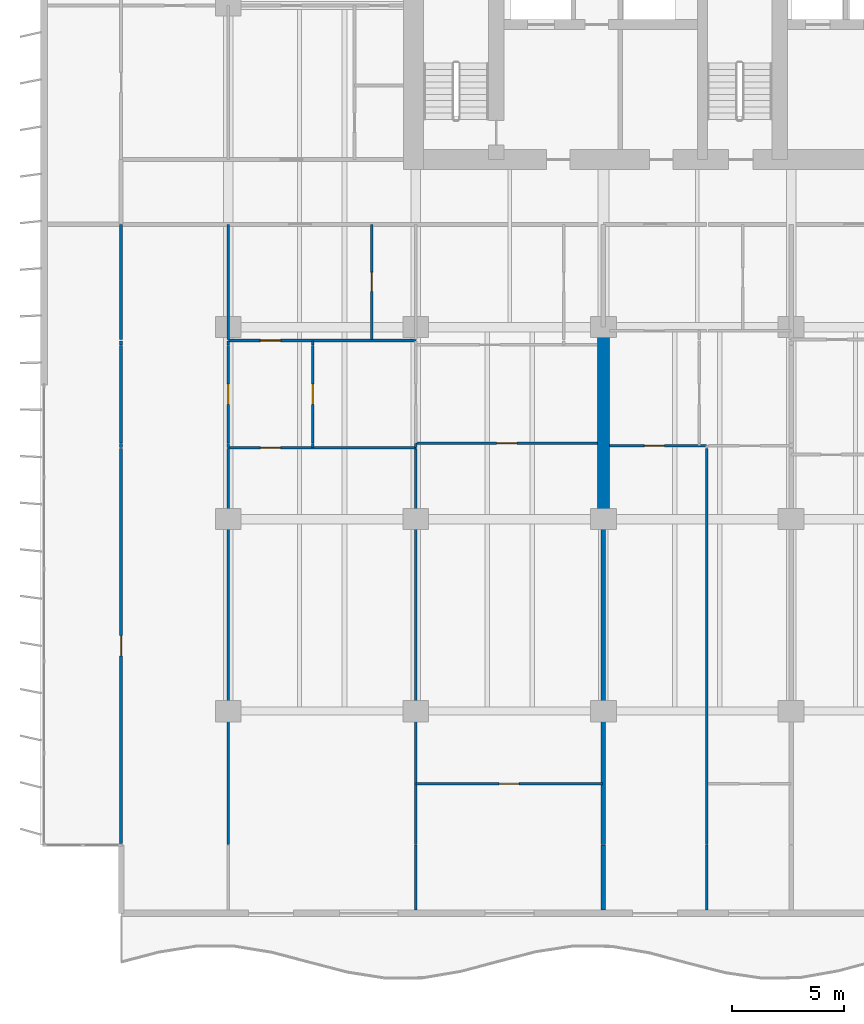
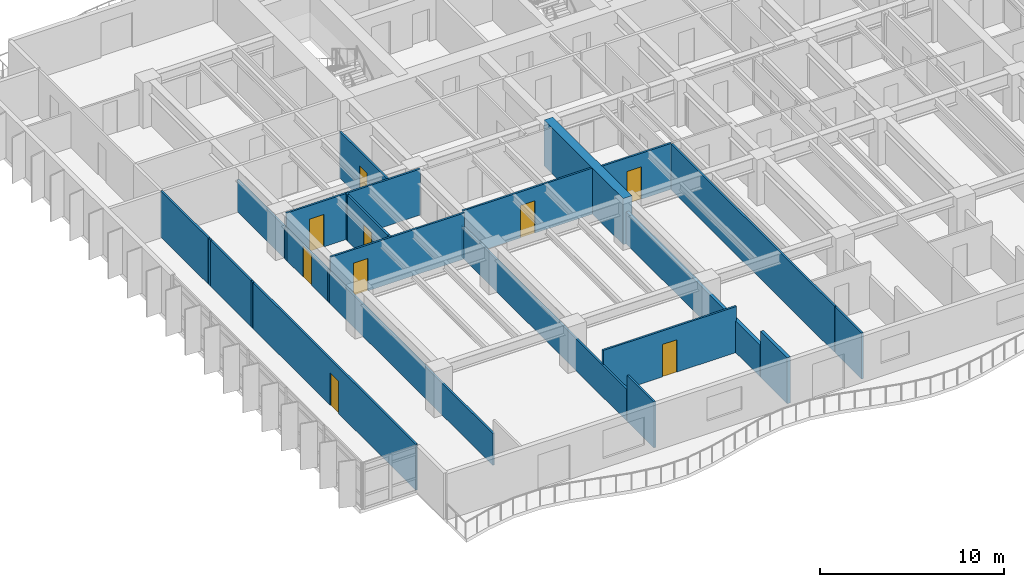
# One storey, part 6 of 18: 27 walls, 9 doors, 9 openings.
"""IFC4 building model written with IfcOpenShell, lengths in metres."""

from ifc_helpers import new_model, si_unit, direction, frame, frame_2d, origin, place, context, subcontext, project, spatial, rectangle, extrude, material, layer, layer_set, type_object, element, fill, save


model = new_model("IFC4")

# Units and contexts
model_context = context("Model", 3, precision=1e-05, world=origin(), true_north=direction((0.0, 1.0)))
body_context = subcontext(model_context, "Body", "Model", "MODEL_VIEW")
ifc_project = project(units=[si_unit("LENGTHUNIT", "METRE"), si_unit("AREAUNIT", "SQUARE_METRE"), si_unit("VOLUMEUNIT", "CUBIC_METRE"), si_unit("PLANEANGLEUNIT", "RADIAN"), si_unit("MASSUNIT", "GRAM", prefix="KILO")], contexts=[model_context])

# Site, building, storey
site_placement = place(None, origin())
site = spatial("IfcSite", under=ifc_project, at=site_placement, CompositionType="ELEMENT")
building_placement = place(site_placement, origin())
building = spatial("IfcBuilding", under=site, at=building_placement, Name="Caelmar Bay Residences", CompositionType="ELEMENT")
storey_placement = place(building_placement, frame((0.0, 0.0, 46.5)))
storey = spatial("IfcBuildingStorey", under=building, at=storey_placement, Name="L11", CompositionType="ELEMENT", Elevation=46.5)

# Wall
ifc_material_1 = material(Name="Concrete f'c 70 MPa (10,000 psi)", Category="concrete")
ifc_layer_1 = layer(ifc_material_1, 0.550048828125)
ifc_layer_set_1 = layer_set([ifc_layer_1], Name="Concrete f'c 70 MPa (10,000 psi)")
wall_type_1 = type_object("IfcWallType", Name="SW-XSLB-550", PredefinedType="SHEAR", material=ifc_layer_set_1)
wall_1_placement = place(storey_placement, frame((26.699951171875, 20.800048828125, 0.0), z_axis=(0.0, 0.0, 1.0), x_axis=(0.0, 1.0, 0.0)))
element("IfcWall", 1, at=wall_1_placement, inside=storey, type_object=wall_type_1, Name="L11 Transverse Cross-Slab Shear Wall W5", PredefinedType="SHEAR", context=body_context, shape_type="SweptSolid", body=[
    extrude(rectangle(XDim=8.599853515625, YDim=0.550048828125, at=frame_2d((4.2998046875, 0.0))), origin(), (0.0, 0.0, 1.0), 3.050048828125),
])

# Wall, opening, door
ifc_material_2 = material(Name="Acoustic metal-stud gypsum partition 120 mm")
ifc_layer_2 = layer(ifc_material_2, 0.1201171875)
ifc_layer_set_2 = layer_set([ifc_layer_2], Name="Acoustic metal-stud gypsum partition 120 mm")
wall_type_2 = type_object("IfcWallType", Name="W-PRT-120", PredefinedType="PARTITIONING", material=ifc_layer_set_2)
wall_2_placement = place(storey_placement, frame((5.10009765625, 6.284912109375, 0.0), z_axis=(0.0, 0.0, 1.0), x_axis=(0.0, 1.0, 0.0)))
wall_2 = element("IfcWall", 2, at=wall_2_placement, inside=storey, type_object=wall_type_2, Name="L11 Partition Wall V001", PredefinedType="PARTITIONING", context=body_context, shape_type="SweptSolid", body=[
    extrude(rectangle(XDim=17.68505859375, YDim=0.1201171875, at=frame_2d((8.842529296875, 0.0))), origin(), (0.0, 0.0, 1.0), 3.050048828125),
])
opening_1_placement = place(wall_2_placement, frame((8.392578125, 0.0, 0.0)))
opening_1 = element("IfcOpeningElement", 3, at=opening_1_placement, cuts=wall_2, Name="Opening D-L11-166", PredefinedType="OPENING", context=body_context, shape_type="SweptSolid", body=[
    extrude(rectangle(XDim=0.89990234375, YDim=2.14990234375, at=frame_2d((0.449951171875, 1.074951171875))), frame((0.0, 0.070068359375, 0.0), z_axis=(0.0, -1.0, 0.0), x_axis=(1.0, 0.0, 0.0)), (0.0, 0.0, 1.0), 0.14013671875),
])
ifc_material_3 = material(Name="Solid walnut timber interior door leaf and frame", Category="wood")
ifc_layer_3 = layer(ifc_material_3, 0.050048828125)
ifc_layer_set_3 = layer_set([ifc_layer_3], Name="Solid walnut timber interior door leaf and frame")
door_type_1 = type_object("IfcDoorType", Name="D-ROOM-900", OperationType="NOTDEFINED", PredefinedType="DOOR", material=ifc_layer_set_3)
door_1_placement = place(opening_1_placement, origin())
door_1 = element("IfcDoor", 4, at=door_1_placement, inside=storey, type_object=door_type_1, Name="L11 Residence 01 Penthouse West Salon Door", OperationType="SINGLE_SWING_LEFT", OverallHeight=2.14990234375, OverallWidth=0.89990234375, PredefinedType="DOOR", context=body_context, shape_type="SweptSolid", body=[
    extrude(rectangle(XDim=0.89990234375, YDim=2.14990234375, at=frame_2d((0.449951171875, 1.074951171875))), frame((0.0, 0.02490234375, 0.0), z_axis=(0.0, -1.0, 0.0), x_axis=(1.0, 0.0, 0.0)), (0.0, 0.0, 1.0), 0.050048828125),
])
fill(opening_1, door_1)

# Walls
wall_3_placement = place(storey_placement, frame((5.10009765625, 24.0, 0.0), z_axis=(0.0, 0.0, 1.0), x_axis=(0.0, 1.0, 0.0)))
element("IfcWall", 5, at=wall_3_placement, inside=storey, type_object=wall_type_2, Name="L11 Partition Wall V002", PredefinedType="PARTITIONING", context=body_context, shape_type="SweptSolid", body=[
    extrude(rectangle(XDim=0.179931640625, YDim=0.1201171875, at=frame_2d((0.08984375, 0.0))), origin(), (0.0, 0.0, 1.0), 3.050048828125),
])
wall_4_placement = place(storey_placement, frame((5.10009765625, 24.199951171875, 0.0), z_axis=(0.0, 0.0, 1.0), x_axis=(0.0, 1.0, 0.0)))
element("IfcWall", 6, at=wall_4_placement, inside=storey, type_object=wall_type_2, Name="L11 Partition Wall V003", PredefinedType="PARTITIONING", context=body_context, shape_type="SweptSolid", body=[
    extrude(rectangle(XDim=4.380126953125, YDim=0.1201171875, at=frame_2d((2.18994140625, 0.0))), origin(), (0.0, 0.0, 1.0), 3.050048828125),
])
wall_5_placement = place(storey_placement, frame((5.10009765625, 28.60009765625, 0.0), z_axis=(0.0, 0.0, 1.0), x_axis=(0.0, 1.0, 0.0)))
element("IfcWall", 7, at=wall_5_placement, inside=storey, type_object=wall_type_2, Name="L11 Partition Wall V004", PredefinedType="PARTITIONING", context=body_context, shape_type="SweptSolid", body=[
    extrude(rectangle(XDim=0.179931640625, YDim=0.1201171875, at=frame_2d((0.08984375, 0.0))), origin(), (0.0, 0.0, 1.0), 3.050048828125),
])
wall_6_placement = place(storey_placement, frame((5.10009765625, 28.840087890625, 0.0), z_axis=(0.0, 0.0, 1.0), x_axis=(0.0, 1.0, 0.0)))
element("IfcWall", 8, at=wall_6_placement, inside=storey, type_object=wall_type_2, Name="L11 Partition Wall V005", PredefinedType="PARTITIONING", context=body_context, shape_type="SweptSolid", body=[
    extrude(rectangle(XDim=5.159912109375, YDim=0.1201171875, at=frame_2d((2.580078125, 0.0))), origin(), (0.0, 0.0, 1.0), 3.050048828125),
])
wall_7_placement = place(storey_placement, frame((9.89990234375, 6.239990234375, 0.0), z_axis=(0.0, 0.0, 1.0), x_axis=(0.0, 1.0, 0.0)))
element("IfcWall", 9, at=wall_7_placement, inside=storey, type_object=wall_type_2, Name="L11 Partition Wall V009", PredefinedType="PARTITIONING", context=body_context, shape_type="SweptSolid", body=[
    extrude(rectangle(XDim=17.72998046875, YDim=0.1201171875, at=frame_2d((8.864990234375, 0.0))), origin(), (0.0, 0.0, 1.0), 2.110107421875),
])
wall_8_placement = place(storey_placement, frame((9.89990234375, 24.0, 0.0), z_axis=(0.0, 0.0, 1.0), x_axis=(0.0, 1.0, 0.0)))
element("IfcWall", 10, at=wall_8_placement, inside=storey, type_object=wall_type_2, Name="L11 Partition Wall V010", PredefinedType="PARTITIONING", context=body_context, shape_type="SweptSolid", body=[
    extrude(rectangle(XDim=0.179931640625, YDim=0.1201171875, at=frame_2d((0.08984375, 0.0))), origin(), (0.0, 0.0, 1.0), 2.110107421875),
])

# Wall, opening, door
wall_9_placement = place(storey_placement, frame((9.89990234375, 24.199951171875, 0.0), z_axis=(0.0, 0.0, 1.0), x_axis=(0.0, 1.0, 0.0)))
wall_9 = element("IfcWall", 11, at=wall_9_placement, inside=storey, type_object=wall_type_2, Name="L11 Partition Wall V011", PredefinedType="PARTITIONING", context=body_context, shape_type="SweptSolid", body=[
    extrude(rectangle(XDim=4.380126953125, YDim=0.1201171875, at=frame_2d((2.18994140625, 0.0))), origin(), (0.0, 0.0, 1.0), 2.110107421875),
])
opening_2_placement = place(wall_9_placement, frame((1.739990234375, 0.0, 0.0)))
opening_2 = element("IfcOpeningElement", 12, at=opening_2_placement, cuts=wall_9, Name="Opening D-L11-133", PredefinedType="OPENING", context=body_context, shape_type="SweptSolid", body=[
    extrude(rectangle(XDim=0.89990234375, YDim=2.06005859375, at=frame_2d((0.449951171875, 1.030029296875))), frame((0.0, 0.070068359375, 0.0), z_axis=(0.0, -1.0, 0.0), x_axis=(1.0, 0.0, 0.0)), (0.0, 0.0, 1.0), 0.14013671875),
])
door_2_placement = place(opening_2_placement, origin())
door_2 = element("IfcDoor", 13, at=door_2_placement, inside=storey, type_object=door_type_1, Name="L11 Residence 01 West Apartment Hall Door", OperationType="SINGLE_SWING_RIGHT", OverallHeight=2.06005859375, OverallWidth=0.89990234375, PredefinedType="DOOR", context=body_context, shape_type="SweptSolid", body=[
    extrude(rectangle(XDim=0.89990234375, YDim=2.06005859375, at=frame_2d((0.449951171875, 1.030029296875))), frame((0.0, 0.02490234375, 0.0), z_axis=(0.0, -1.0, 0.0), x_axis=(1.0, 0.0, 0.0)), (0.0, 0.0, 1.0), 0.050048828125),
])
fill(opening_2, door_2)

# Walls
wall_10_placement = place(storey_placement, frame((9.89990234375, 28.60009765625, 0.0), z_axis=(0.0, 0.0, 1.0), x_axis=(0.0, 1.0, 0.0)))
element("IfcWall", 14, at=wall_10_placement, inside=storey, type_object=wall_type_2, Name="L11 Partition Wall V012", PredefinedType="PARTITIONING", context=body_context, shape_type="SweptSolid", body=[
    extrude(rectangle(XDim=0.179931640625, YDim=0.1201171875, at=frame_2d((0.08984375, 0.0))), origin(), (0.0, 0.0, 1.0), 2.110107421875),
])
wall_11_placement = place(storey_placement, frame((9.89990234375, 28.840087890625, 0.0), z_axis=(0.0, 0.0, 1.0), x_axis=(0.0, 1.0, 0.0)))
element("IfcWall", 15, at=wall_11_placement, inside=storey, type_object=wall_type_2, Name="L11 Partition Wall V013", PredefinedType="PARTITIONING", context=body_context, shape_type="SweptSolid", body=[
    extrude(rectangle(XDim=5.159912109375, YDim=0.1201171875, at=frame_2d((2.580078125, 0.0))), origin(), (0.0, 0.0, 1.0), 2.110107421875),
])
wall_12_placement = place(storey_placement, frame((13.679931640625, 24.0, 0.0), z_axis=(0.0, 0.0, 1.0), x_axis=(0.0, 1.0, 0.0)))
element("IfcWall", 16, at=wall_12_placement, inside=storey, type_object=wall_type_2, Name="L11 Partition Wall V015", PredefinedType="PARTITIONING", context=body_context, shape_type="SweptSolid", body=[
    extrude(rectangle(XDim=0.179931640625, YDim=0.1201171875, at=frame_2d((0.08984375, 0.0))), origin(), (0.0, 0.0, 1.0), 3.050048828125),
])

# Wall, opening, door
wall_13_placement = place(storey_placement, frame((13.679931640625, 24.199951171875, 0.0), z_axis=(0.0, 0.0, 1.0), x_axis=(0.0, 1.0, 0.0)))
wall_13 = element("IfcWall", 17, at=wall_13_placement, inside=storey, type_object=wall_type_2, Name="L11 Partition Wall V016", PredefinedType="PARTITIONING", context=body_context, shape_type="SweptSolid", body=[
    extrude(rectangle(XDim=4.380126953125, YDim=0.1201171875, at=frame_2d((2.18994140625, 0.0))), origin(), (0.0, 0.0, 1.0), 3.050048828125),
])
opening_3_placement = place(wall_13_placement, frame((1.739990234375, 0.0, 0.0)))
opening_3 = element("IfcOpeningElement", 18, at=opening_3_placement, cuts=wall_13, Name="Opening D-L11-126", PredefinedType="OPENING", context=body_context, shape_type="SweptSolid", body=[
    extrude(rectangle(XDim=0.89990234375, YDim=2.14990234375, at=frame_2d((0.449951171875, 1.074951171875))), frame((0.0, 0.070068359375, 0.0), z_axis=(0.0, -1.0, 0.0), x_axis=(1.0, 0.0, 0.0)), (0.0, 0.0, 1.0), 0.14013671875),
])
door_3_placement = place(opening_3_placement, origin())
door_3 = element("IfcDoor", 19, at=door_3_placement, inside=storey, type_object=door_type_1, Name="L11 Residence 01 Kitchen Door", OperationType="SINGLE_SWING_LEFT", OverallHeight=2.14990234375, OverallWidth=0.89990234375, PredefinedType="DOOR", context=body_context, shape_type="SweptSolid", body=[
    extrude(rectangle(XDim=0.89990234375, YDim=2.14990234375, at=frame_2d((0.449951171875, 1.074951171875))), frame((0.0, 0.02490234375, 0.0), z_axis=(0.0, -1.0, 0.0), x_axis=(1.0, 0.0, 0.0)), (0.0, 0.0, 1.0), 0.050048828125),
])
fill(opening_3, door_3)

# Wall
wall_14_placement = place(storey_placement, frame((13.679931640625, 28.60009765625, 0.0), z_axis=(0.0, 0.0, 1.0), x_axis=(0.0, 1.0, 0.0)))
element("IfcWall", 20, at=wall_14_placement, inside=storey, type_object=wall_type_2, Name="L11 Partition Wall V017", PredefinedType="PARTITIONING", context=body_context, shape_type="SweptSolid", body=[
    extrude(rectangle(XDim=0.179931640625, YDim=0.1201171875, at=frame_2d((0.08984375, 0.0))), origin(), (0.0, 0.0, 1.0), 3.050048828125),
])

# Wall, opening, door
wall_15_placement = place(storey_placement, frame((16.319091796875, 28.840087890625, 0.0), z_axis=(0.0, 0.0, 1.0), x_axis=(0.0, 1.0, 0.0)))
wall_15 = element("IfcWall", 21, at=wall_15_placement, inside=storey, type_object=wall_type_2, Name="L11 Partition Wall V019", PredefinedType="PARTITIONING", context=body_context, shape_type="SweptSolid", body=[
    extrude(rectangle(XDim=5.159912109375, YDim=0.1201171875, at=frame_2d((2.580078125, 0.0))), origin(), (0.0, 0.0, 1.0), 3.050048828125),
])
opening_4_placement = place(wall_15_placement, frame((2.155029296875, 0.0, 0.0)))
opening_4 = element("IfcOpeningElement", 22, at=opening_4_placement, cuts=wall_15, Name="Opening D-L11-124", PredefinedType="OPENING", context=body_context, shape_type="SweptSolid", body=[
    extrude(rectangle(XDim=0.85009765625, YDim=2.10009765625, at=frame_2d((0.425048828125, 1.050048828125))), frame((0.0, 0.070068359375, 0.0), z_axis=(0.0, -1.0, 0.0), x_axis=(1.0, 0.0, 0.0)), (0.0, 0.0, 1.0), 0.14013671875),
])
ifc_layer_4 = layer(ifc_material_3, 0.050048828125)
ifc_layer_set_4 = layer_set([ifc_layer_4], Name="Solid walnut timber interior door leaf and frame")
door_type_2 = type_object("IfcDoorType", Name="D-BATH-850", OperationType="NOTDEFINED", PredefinedType="DOOR", material=ifc_layer_set_4)
door_4_placement = place(opening_4_placement, origin())
door_4 = element("IfcDoor", 23, at=door_4_placement, inside=storey, type_object=door_type_2, Name="L11 Residence 01 Guest Bathroom Door", OperationType="SINGLE_SWING_LEFT", OverallHeight=2.10009765625, OverallWidth=0.85009765625, PredefinedType="DOOR", context=body_context, shape_type="SweptSolid", body=[
    extrude(rectangle(XDim=0.85009765625, YDim=2.10009765625, at=frame_2d((0.425048828125, 1.050048828125))), frame((0.0, 0.02490234375, 0.0), z_axis=(0.0, -1.0, 0.0), x_axis=(1.0, 0.0, 0.0)), (0.0, 0.0, 1.0), 0.050048828125),
])
fill(opening_4, door_4)

# Walls
wall_16_placement = place(storey_placement, frame((18.300048828125, 3.294921875, 0.0), z_axis=(0.0, 0.0, 1.0), x_axis=(0.0, 1.0, 0.0)))
element("IfcWall", 24, at=wall_16_placement, inside=storey, type_object=wall_type_2, Name="L11 Partition Wall V020", PredefinedType="PARTITIONING", context=body_context, shape_type="SweptSolid", body=[
    extrude(rectangle(XDim=2.905029296875, YDim=0.1201171875, at=frame_2d((1.45263671875, 0.0))), origin(), (0.0, 0.0, 1.0), 3.050048828125),
])
wall_17_placement = place(storey_placement, frame((18.300048828125, 6.239990234375, 0.0), z_axis=(0.0, 0.0, 1.0), x_axis=(0.0, 1.0, 0.0)))
element("IfcWall", 25, at=wall_17_placement, inside=storey, type_object=wall_type_2, Name="L11 Partition Wall V021", PredefinedType="PARTITIONING", context=body_context, shape_type="SweptSolid", body=[
    extrude(rectangle(XDim=17.72998046875, YDim=0.1201171875, at=frame_2d((8.864990234375, 0.0))), origin(), (0.0, 0.0, 1.0), 2.110107421875),
])
wall_18_placement = place(storey_placement, frame((18.300048828125, 24.0, 0.0), z_axis=(0.0, 0.0, 1.0), x_axis=(0.0, 1.0, 0.0)))
element("IfcWall", 26, at=wall_18_placement, inside=storey, type_object=wall_type_2, Name="L11 Partition Wall V022", PredefinedType="PARTITIONING", context=body_context, shape_type="SweptSolid", body=[
    extrude(rectangle(XDim=0.179931640625, YDim=0.1201171875, at=frame_2d((0.08984375, 0.0))), origin(), (0.0, 0.0, 1.0), 2.110107421875),
])
wall_19_placement = place(storey_placement, frame((31.320068359375, 3.294921875, 0.0), z_axis=(0.0, 0.0, 1.0), x_axis=(0.0, 1.0, 0.0)))
element("IfcWall", 27, at=wall_19_placement, inside=storey, type_object=wall_type_2, Name="L11 Partition Wall V040", PredefinedType="PARTITIONING", context=body_context, shape_type="SweptSolid", body=[
    extrude(rectangle(XDim=2.905029296875, YDim=0.1201171875, at=frame_2d((1.45263671875, 0.0))), origin(), (0.0, 0.0, 1.0), 3.050048828125),
])
wall_20_placement = place(storey_placement, frame((31.320068359375, 6.239990234375, 0.0), z_axis=(0.0, 0.0, 1.0), x_axis=(0.0, 1.0, 0.0)))
element("IfcWall", 28, at=wall_20_placement, inside=storey, type_object=wall_type_2, Name="L11 Partition Wall V041", PredefinedType="PARTITIONING", context=body_context, shape_type="SweptSolid", body=[
    extrude(rectangle(XDim=17.72998046875, YDim=0.1201171875, at=frame_2d((8.864990234375, 0.0))), origin(), (0.0, 0.0, 1.0), 3.050048828125),
])

# Wall, opening, door
wall_21_placement = place(storey_placement, frame((18.300048828125, 8.949951171875, 0.0), z_axis=(0.0, 0.0, 1.0), x_axis=(1.0, 0.0, 0.0)))
wall_21 = element("IfcWall", 29, at=wall_21_placement, inside=storey, type_object=wall_type_2, Name="L11 Partition Wall H113", PredefinedType="PARTITIONING", context=body_context, shape_type="SweptSolid", body=[
    extrude(rectangle(XDim=8.349853515625, YDim=0.1201171875, at=frame_2d((4.1748046875, 0.0))), origin(), (0.0, 0.0, 1.0), 3.050048828125),
])
opening_5_placement = place(wall_21_placement, frame((3.72509765625, 0.0, 0.0)))
opening_5 = element("IfcOpeningElement", 30, at=opening_5_placement, cuts=wall_21, Name="Opening D-L11-132", PredefinedType="OPENING", context=body_context, shape_type="SweptSolid", body=[
    extrude(rectangle(XDim=0.89990234375, YDim=2.14990234375, at=frame_2d((0.449951171875, 1.074951171875))), frame((0.0, 0.070068359375, 0.0), z_axis=(0.0, -1.0, 0.0), x_axis=(1.0, 0.0, 0.0)), (0.0, 0.0, 1.0), 0.14013671875),
])
door_5_placement = place(opening_5_placement, origin())
door_5 = element("IfcDoor", 31, at=door_5_placement, inside=storey, type_object=door_type_1, Name="L11 Residence 01 Primary Bedroom 1 Door", OperationType="SINGLE_SWING_LEFT", OverallHeight=2.14990234375, OverallWidth=0.89990234375, PredefinedType="DOOR", context=body_context, shape_type="SweptSolid", body=[
    extrude(rectangle(XDim=0.89990234375, YDim=2.14990234375, at=frame_2d((0.449951171875, 1.074951171875))), frame((0.0, 0.02490234375, 0.0), z_axis=(0.0, -1.0, 0.0), x_axis=(1.0, 0.0, 0.0)), (0.0, 0.0, 1.0), 0.050048828125),
])
fill(opening_5, door_5)

wall_22_placement = place(storey_placement, frame((9.89990234375, 24.0, 0.0), z_axis=(0.0, 0.0, 1.0), x_axis=(1.0, 0.0, 0.0)))
wall_22 = element("IfcWall", 32, at=wall_22_placement, inside=storey, type_object=wall_type_2, Name="L11 Partition Wall H121", PredefinedType="PARTITIONING", context=body_context, shape_type="SweptSolid", body=[
    extrude(rectangle(XDim=8.400146484375, YDim=0.1201171875, at=frame_2d((4.2001953125, 0.0))), origin(), (0.0, 0.0, 1.0), 3.050048828125),
])
opening_6_placement = place(wall_22_placement, frame((1.43994140625, 0.0, 0.0)))
opening_6 = element("IfcOpeningElement", 33, at=opening_6_placement, cuts=wall_22, Name="Opening D-L11-127", PredefinedType="OPENING", context=body_context, shape_type="SweptSolid", body=[
    extrude(rectangle(XDim=0.89990234375, YDim=2.14990234375, at=frame_2d((0.449951171875, 1.074951171875))), frame((0.0, 0.070068359375, 0.0), z_axis=(0.0, -1.0, 0.0), x_axis=(1.0, 0.0, 0.0)), (0.0, 0.0, 1.0), 0.14013671875),
])
door_6_placement = place(opening_6_placement, origin())
door_6 = element("IfcDoor", 34, at=door_6_placement, inside=storey, type_object=door_type_1, Name="L11 Residence 01 Penthouse Living Salon Door", OperationType="SINGLE_SWING_RIGHT", OverallHeight=2.14990234375, OverallWidth=0.89990234375, PredefinedType="DOOR", context=body_context, shape_type="SweptSolid", body=[
    extrude(rectangle(XDim=0.89990234375, YDim=2.14990234375, at=frame_2d((0.449951171875, 1.074951171875))), frame((0.0, 0.02490234375, 0.0), z_axis=(0.0, -1.0, 0.0), x_axis=(1.0, 0.0, 0.0)), (0.0, 0.0, 1.0), 0.050048828125),
])
fill(opening_6, door_6)

wall_23_placement = place(storey_placement, frame((26.969970703125, 24.090087890625, 0.0), z_axis=(0.0, 0.0, 1.0), x_axis=(1.0, 0.0, 0.0)))
wall_23 = element("IfcWall", 35, at=wall_23_placement, inside=storey, type_object=wall_type_2, Name="L11 Partition Wall H122", PredefinedType="PARTITIONING", context=body_context, shape_type="SweptSolid", body=[
    extrude(rectangle(XDim=4.35009765625, YDim=0.1201171875, at=frame_2d((2.175048828125, 0.0))), origin(), (0.0, 0.0, 1.0), 3.050048828125),
])
opening_7_placement = place(wall_23_placement, frame((1.55810546875, 0.0, 0.0)))
opening_7 = element("IfcOpeningElement", 36, at=opening_7_placement, cuts=wall_23, Name="Opening D-L11-138", PredefinedType="OPENING", context=body_context, shape_type="SweptSolid", body=[
    extrude(rectangle(XDim=0.89990234375, YDim=2.14990234375, at=frame_2d((0.449951171875, 1.074951171875))), frame((0.0, 0.070068359375, 0.0), z_axis=(0.0, -1.0, 0.0), x_axis=(1.0, 0.0, 0.0)), (0.0, 0.0, 1.0), 0.14013671875),
])
door_7_placement = place(opening_7_placement, origin())
door_7 = element("IfcDoor", 37, at=door_7_placement, inside=storey, type_object=door_type_1, Name="L11 Residence 02 Penthouse Living Salon Door", OperationType="SINGLE_SWING_LEFT", OverallHeight=2.14990234375, OverallWidth=0.89990234375, PredefinedType="DOOR", context=body_context, shape_type="SweptSolid", body=[
    extrude(rectangle(XDim=0.89990234375, YDim=2.14990234375, at=frame_2d((0.449951171875, 1.074951171875))), frame((0.0, 0.02490234375, 0.0), z_axis=(0.0, -1.0, 0.0), x_axis=(1.0, 0.0, 0.0)), (0.0, 0.0, 1.0), 0.050048828125),
])
fill(opening_7, door_7)

wall_24_placement = place(storey_placement, frame((18.304931640625, 24.199951171875, 0.0), z_axis=(0.0, 0.0, 1.0), x_axis=(1.0, 0.0, 0.0)))
wall_24 = element("IfcWall", 38, at=wall_24_placement, inside=storey, type_object=wall_type_2, Name="L11 Partition Wall H125", PredefinedType="PARTITIONING", context=body_context, shape_type="SweptSolid", body=[
    extrude(rectangle(XDim=8.125, YDim=0.1201171875, at=frame_2d((4.0625, 0.0))), origin(), (0.0, 0.0, 1.0), 3.050048828125),
])
opening_8_placement = place(wall_24_placement, frame((3.612548828125, 0.0, 0.0)))
opening_8 = element("IfcOpeningElement", 39, at=opening_8_placement, cuts=wall_24, Name="Opening D-L11-131", PredefinedType="OPENING", context=body_context, shape_type="SweptSolid", body=[
    extrude(rectangle(XDim=0.89990234375, YDim=2.14990234375, at=frame_2d((0.449951171875, 1.074951171875))), frame((0.0, 0.070068359375, 0.0), z_axis=(0.0, -1.0, 0.0), x_axis=(1.0, 0.0, 0.0)), (0.0, 0.0, 1.0), 0.14013671875),
])
door_8_placement = place(opening_8_placement, origin())
door_8 = element("IfcDoor", 40, at=door_8_placement, inside=storey, type_object=door_type_1, Name="L11 Residence 01 Penthouse Sitting Salon 1 Door", OperationType="SINGLE_SWING_RIGHT", OverallHeight=2.14990234375, OverallWidth=0.89990234375, PredefinedType="DOOR", context=body_context, shape_type="SweptSolid", body=[
    extrude(rectangle(XDim=0.89990234375, YDim=2.14990234375, at=frame_2d((0.449951171875, 1.074951171875))), frame((0.0, 0.02490234375, 0.0), z_axis=(0.0, -1.0, 0.0), x_axis=(1.0, 0.0, 0.0)), (0.0, 0.0, 1.0), 0.050048828125),
])
fill(opening_8, door_8)

wall_25_placement = place(storey_placement, frame((9.89990234375, 28.800048828125, 0.0), z_axis=(0.0, 0.0, 1.0), x_axis=(1.0, 0.0, 0.0)))
wall_25 = element("IfcWall", 41, at=wall_25_placement, inside=storey, type_object=wall_type_2, Name="L11 Partition Wall H129", PredefinedType="PARTITIONING", context=body_context, shape_type="SweptSolid", body=[
    extrude(rectangle(XDim=8.39501953125, YDim=0.1201171875, at=frame_2d((4.197509765625, 0.0))), origin(), (0.0, 0.0, 1.0), 3.050048828125),
])
opening_9_placement = place(wall_25_placement, frame((1.43994140625, 0.0, 0.0)))
opening_9 = element("IfcOpeningElement", 42, at=opening_9_placement, cuts=wall_25, Name="Opening D-L11-125", PredefinedType="OPENING", context=body_context, shape_type="SweptSolid", body=[
    extrude(rectangle(XDim=0.89990234375, YDim=2.14990234375, at=frame_2d((0.449951171875, 1.074951171875))), frame((0.0, 0.070068359375, 0.0), z_axis=(0.0, -1.0, 0.0), x_axis=(1.0, 0.0, 0.0)), (0.0, 0.0, 1.0), 0.14013671875),
])
door_9_placement = place(opening_9_placement, origin())
door_9 = element("IfcDoor", 43, at=door_9_placement, inside=storey, type_object=door_type_1, Name="L11 Residence 01 Dining Room Door", OperationType="SINGLE_SWING_RIGHT", OverallHeight=2.14990234375, OverallWidth=0.89990234375, PredefinedType="DOOR", context=body_context, shape_type="SweptSolid", body=[
    extrude(rectangle(XDim=0.89990234375, YDim=2.14990234375, at=frame_2d((0.449951171875, 1.074951171875))), frame((0.0, 0.02490234375, 0.0), z_axis=(0.0, -1.0, 0.0), x_axis=(1.0, 0.0, 0.0)), (0.0, 0.0, 1.0), 0.050048828125),
])
fill(opening_9, door_9)

# Walls
ifc_material_4 = material(Name="Acoustic twin-stud fire-rated inter-tenancy partition 200 mm")
ifc_layer_5 = layer(ifc_material_4, 0.199951171875)
ifc_layer_set_5 = layer_set([ifc_layer_5], Name="Acoustic twin-stud fire-rated inter-tenancy partition 200 mm")
wall_type_3 = type_object("IfcWallType", Name="W-PTY-200", PredefinedType="PARTITIONING", material=ifc_layer_set_5)
wall_26_placement = place(storey_placement, frame((26.699951171875, 3.294921875, 0.0), z_axis=(0.0, 0.0, 1.0), x_axis=(0.0, 1.0, 0.0)))
element("IfcWall", 44, at=wall_26_placement, inside=storey, type_object=wall_type_3, Name="L11 Partition Wall V031", PredefinedType="PARTITIONING", context=body_context, shape_type="SweptSolid", body=[
    extrude(rectangle(XDim=2.905029296875, YDim=0.199951171875, at=frame_2d((1.45263671875, 0.0))), origin(), (0.0, 0.0, 1.0), 3.050048828125),
])
wall_27_placement = place(storey_placement, frame((26.699951171875, 6.239990234375, 0.0), z_axis=(0.0, 0.0, 1.0), x_axis=(0.0, 1.0, 0.0)))
element("IfcWall", 45, at=wall_27_placement, inside=storey, type_object=wall_type_3, Name="L11 Partition Wall V032", PredefinedType="PARTITIONING", context=body_context, shape_type="SweptSolid", body=[
    extrude(rectangle(XDim=14.554931640625, YDim=0.199951171875, at=frame_2d((7.27734375, 0.0))), origin(), (0.0, 0.0, 1.0), 2.110107421875),
])

save(model, "model.ifc")
